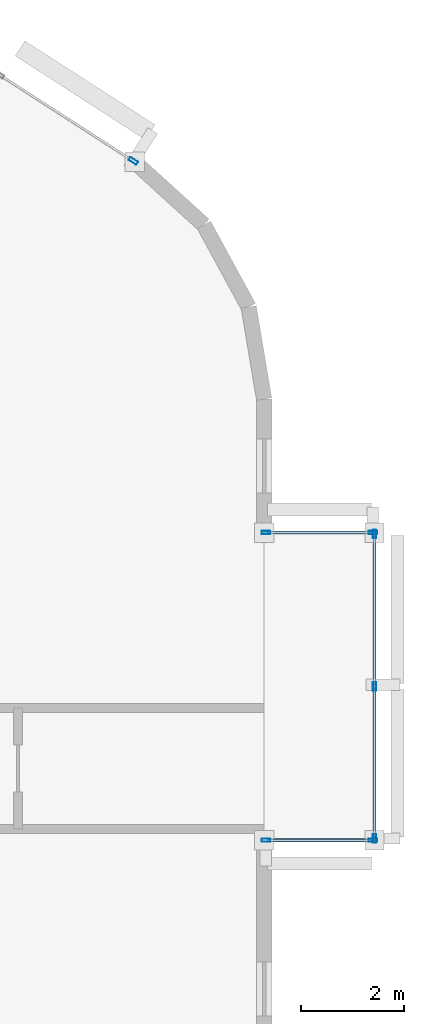
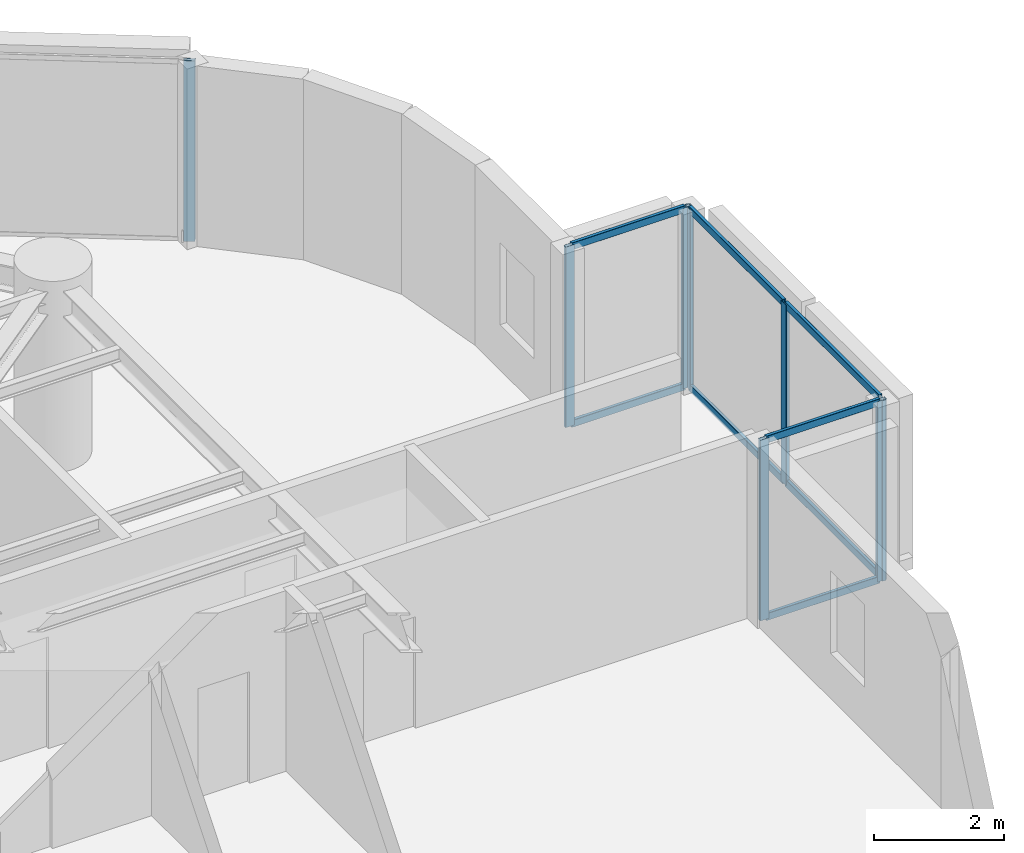
# One storey, part 4 of 13: 16 members, 4 elements without a shape of their own.
"""IFC4 building model written with IfcOpenShell, lengths in metres."""

from ifc_helpers import new_model, si_unit, direction, frame, origin, origin_2d, place, context, subcontext, project, spatial, hollow_rectangle, extrude, material, layer, layer_set, material_profile, profile_set, type_object, element, aggregate, save


model = new_model("IFC4")

# Units and contexts
model_context = context("Model", 3, precision=1e-05, world=origin(), true_north=direction((0.0, 1.0)))
body_context = subcontext(model_context, "Body", "Model", "MODEL_VIEW")
ifc_project = project(units=[si_unit("LENGTHUNIT", "METRE"), si_unit("AREAUNIT", "SQUARE_METRE"), si_unit("VOLUMEUNIT", "CUBIC_METRE"), si_unit("PLANEANGLEUNIT", "RADIAN"), si_unit("MASSUNIT", "GRAM", prefix="KILO")], contexts=[model_context])

# Site, building, storey
site_placement = place(None, origin())
site = spatial("IfcSite", under=ifc_project, at=site_placement, CompositionType="ELEMENT")
building_placement = place(site_placement, origin())
building = spatial("IfcBuilding", under=site, at=building_placement, Name="An Khanh Terracotta Commons", CompositionType="ELEMENT")
storey_placement = place(building_placement, frame((0.0, 0.0, 183.39990234375)))
storey = spatial("IfcBuildingStorey", under=building, at=storey_placement, Name="L48", CompositionType="ELEMENT", Elevation=183.39990234375)

# Curtain wall, members
ifc_material = material(Name="Anodised Aluminium 6063-T6", Category="aluminium")
ifc_layer_1 = layer(ifc_material, 0.239990234375, Name="Anodised Aluminium 6063-T6")
ifc_layer_set_1 = layer_set([ifc_layer_1], Name="Anodised Aluminium 6063-T6")
curtain_wall_type_1 = type_object("IfcCurtainWallType", Name="CW-SYS-04", PredefinedType="USERDEFINED", material=ifc_layer_set_1)
curtain_wall_1_placement = place(storey_placement, origin())
curtain_wall_1 = element("IfcCurtainWall", 1, at=curtain_wall_1_placement, inside=storey, type_object=curtain_wall_type_1, Name="L48 CW-04 Unitised Curtain Wall CW-L48-EBOX-1", ObjectType="UNITISED CURTAIN WALL", PredefinedType="USERDEFINED")
ifc_material_profile_1 = material_profile(ifc_material, hollow_rectangle(XDim=0.06494140625, YDim=0.1650390625, WallThickness=0.00390625, InnerFilletRadius=0.00390625, OuterFilletRadius=0.008056640625, at=origin_2d()), Name="RHS165x65x4")
ifc_profile_set_1 = profile_set([ifc_material_profile_1], Name="Anodised Aluminium 6063-T6")
member_type_1 = type_object("IfcMemberType", Name="CWM-RHS165x65x4", PredefinedType="MULLION", material=ifc_profile_set_1)
member_1_placement = place(storey_placement, frame((65.14990234375, 22.632568359375, 0.0), z_axis=(0.0, 0.0, 1.0), x_axis=(-1.0, 0.0, 0.0)))
member_1 = element("IfcMember", 2, at=member_1_placement, type_object=member_type_1, Name="CW-04 mullion 1", PredefinedType="MULLION", context=body_context, shape_type="SweptSolid", body=[
    extrude(hollow_rectangle(XDim=0.06494140625, YDim=0.1650390625, WallThickness=0.00390625, InnerFilletRadius=0.00390625, OuterFilletRadius=0.008056640625, at=origin_2d()), origin(), (0.0, 0.0, 1.0), 3.400146484375),
])
member_2_placement = place(storey_placement, frame((65.14990234375, 25.60009765625, 0.0), z_axis=(0.0, 0.0, 1.0), x_axis=(-1.0, 0.0, 0.0)))
member_2 = element("IfcMember", 3, at=member_2_placement, type_object=member_type_1, Name="CW-04 mullion 2", PredefinedType="MULLION", context=body_context, shape_type="SweptSolid", body=[
    extrude(hollow_rectangle(XDim=0.06494140625, YDim=0.1650390625, WallThickness=0.00390625, InnerFilletRadius=0.00390625, OuterFilletRadius=0.008056640625, at=origin_2d()), origin(), (0.0, 0.0, 1.0), 3.400146484375),
])
member_3_placement = place(storey_placement, frame((65.14990234375, 28.5673828125, 0.0), z_axis=(0.0, 0.0, 1.0), x_axis=(-1.0, 0.0, 0.0)))
member_3 = element("IfcMember", 4, at=member_3_placement, type_object=member_type_1, Name="CW-04 mullion 3", PredefinedType="MULLION", context=body_context, shape_type="SweptSolid", body=[
    extrude(hollow_rectangle(XDim=0.06494140625, YDim=0.1650390625, WallThickness=0.00390625, InnerFilletRadius=0.00390625, OuterFilletRadius=0.008056640625, at=origin_2d()), origin(), (0.0, 0.0, 1.0), 3.400146484375),
])

curtain_wall_2_placement = place(storey_placement, origin())
curtain_wall_2 = element("IfcCurtainWall", 5, at=curtain_wall_2_placement, inside=storey, type_object=curtain_wall_type_1, Name="L48 CW-04 Unitised Curtain Wall CW-L48-EBOX-2", ObjectType="UNITISED CURTAIN WALL", PredefinedType="USERDEFINED")
member_4_placement = place(storey_placement, frame((63.032470703125, 22.60009765625, 0.0), z_axis=(0.0, 0.0, 1.0), x_axis=(0.0, 1.0, 0.0)))
member_4 = element("IfcMember", 6, at=member_4_placement, type_object=member_type_1, Name="CW-04 mullion 1", PredefinedType="MULLION", context=body_context, shape_type="SweptSolid", body=[
    extrude(hollow_rectangle(XDim=0.06494140625, YDim=0.1650390625, WallThickness=0.00390625, InnerFilletRadius=0.00390625, OuterFilletRadius=0.008056640625, at=origin_2d()), origin(), (0.0, 0.0, 1.0), 3.400146484375),
])
member_5_placement = place(storey_placement, frame((65.117431640625, 22.60009765625, 0.0), z_axis=(0.0, 0.0, 1.0), x_axis=(0.0, 1.0, 0.0)))
member_5 = element("IfcMember", 7, at=member_5_placement, type_object=member_type_1, Name="CW-04 mullion 2", PredefinedType="MULLION", context=body_context, shape_type="SweptSolid", body=[
    extrude(hollow_rectangle(XDim=0.06494140625, YDim=0.1650390625, WallThickness=0.00390625, InnerFilletRadius=0.00390625, OuterFilletRadius=0.008056640625, at=origin_2d()), origin(), (0.0, 0.0, 1.0), 3.400146484375),
])

curtain_wall_3_placement = place(storey_placement, origin())
curtain_wall_3 = element("IfcCurtainWall", 8, at=curtain_wall_3_placement, inside=storey, type_object=curtain_wall_type_1, Name="L48 CW-04 Unitised Curtain Wall CW-L48-EBOX-3", ObjectType="UNITISED CURTAIN WALL", PredefinedType="USERDEFINED")
member_6_placement = place(storey_placement, frame((65.117431640625, 28.60009765625, 0.0), z_axis=(0.0, 0.0, 1.0), x_axis=(0.0, -1.0, 0.0)))
member_6 = element("IfcMember", 9, at=member_6_placement, type_object=member_type_1, Name="CW-04 mullion 1", PredefinedType="MULLION", context=body_context, shape_type="SweptSolid", body=[
    extrude(hollow_rectangle(XDim=0.06494140625, YDim=0.1650390625, WallThickness=0.00390625, InnerFilletRadius=0.00390625, OuterFilletRadius=0.008056640625, at=origin_2d()), origin(), (0.0, 0.0, 1.0), 3.400146484375),
])
member_7_placement = place(storey_placement, frame((63.032470703125, 28.60009765625, 0.0), z_axis=(0.0, 0.0, 1.0), x_axis=(0.0, -1.0, 0.0)))
member_7 = element("IfcMember", 10, at=member_7_placement, type_object=member_type_1, Name="CW-04 mullion 2", PredefinedType="MULLION", context=body_context, shape_type="SweptSolid", body=[
    extrude(hollow_rectangle(XDim=0.06494140625, YDim=0.1650390625, WallThickness=0.00390625, InnerFilletRadius=0.00390625, OuterFilletRadius=0.008056640625, at=origin_2d()), origin(), (0.0, 0.0, 1.0), 3.400146484375),
])

# Curtain wall, member
ifc_layer_2 = layer(ifc_material, 0.2099609375, Name="Anodised Aluminium 6063-T6")
ifc_layer_set_2 = layer_set([ifc_layer_2], Name="Anodised Aluminium 6063-T6")
curtain_wall_type_2 = type_object("IfcCurtainWallType", Name="CW-SYS-03", PredefinedType="USERDEFINED", material=ifc_layer_set_2)
curtain_wall_4_placement = place(storey_placement, origin())
curtain_wall_4 = element("IfcCurtainWall", 11, at=curtain_wall_4_placement, inside=storey, type_object=curtain_wall_type_2, Name="L48 CW-03 Unitised Curtain Wall CW-L48-16", ObjectType="UNITISED CURTAIN WALL", PredefinedType="USERDEFINED")
ifc_material_profile_2 = material_profile(ifc_material, hollow_rectangle(XDim=0.070068359375, YDim=0.179931640625, WallThickness=0.00390625, InnerFilletRadius=0.00390625, OuterFilletRadius=0.008056640625, at=origin_2d()), Name="RHS180x70x4")
ifc_profile_set_2 = profile_set([ifc_material_profile_2], Name="Anodised Aluminium 6063-T6")
member_type_2 = type_object("IfcMemberType", Name="CWM-RHS180x70x4", PredefinedType="MULLION", material=ifc_profile_set_2)
member_8_placement = place(storey_placement, frame((60.448486328125, 35.843017578125, 0.0), z_axis=(0.0, 0.0, 1.0), x_axis=(-0.541497931062, -0.840702081986, 0.0)))
member_8 = element("IfcMember", 12, at=member_8_placement, type_object=member_type_2, Name="CW-03 mullion 1", PredefinedType="MULLION", context=body_context, shape_type="SweptSolid", body=[
    extrude(hollow_rectangle(XDim=0.070068359375, YDim=0.179931640625, WallThickness=0.00390625, InnerFilletRadius=0.00390625, OuterFilletRadius=0.008056640625, at=origin_2d()), origin(), (0.0, 0.0, 1.0), 3.400146484375),
])
aggregate(curtain_wall_4, [member_8])

# Member
ifc_material_profile_3 = material_profile(ifc_material, hollow_rectangle(XDim=0.06005859375, YDim=0.135009765625, WallThickness=0.003662109375, InnerFilletRadius=0.003662109375, OuterFilletRadius=0.007080078125, at=origin_2d()), Name="RHS135x60x3.6")
ifc_profile_set_3 = profile_set([ifc_material_profile_3], Name="Anodised Aluminium 6063-T6")
member_type_3 = type_object("IfcMemberType", Name="CWT-RHS135x60x3.6", PredefinedType="USERDEFINED", material=ifc_profile_set_3)
member_9_placement = place(storey_placement, frame((65.14990234375, 22.6650390625, 0.030029296875), z_axis=(0.0, 1.0, 0.0), x_axis=(-1.0, 0.0, 0.0)))
member_9 = element("IfcMember", 13, at=member_9_placement, type_object=member_type_3, Name="CW-04 transom 1.1", ObjectType="TRANSOM", PredefinedType="USERDEFINED", context=body_context, shape_type="SweptSolid", body=[
    extrude(hollow_rectangle(XDim=0.06005859375, YDim=0.135009765625, WallThickness=0.003662109375, InnerFilletRadius=0.003662109375, OuterFilletRadius=0.007080078125, at=origin_2d()), origin(), (0.0, 0.0, 1.0), 2.90234375),
])

member_10_placement = place(storey_placement, frame((65.14990234375, 22.6650390625, 3.3701171875), z_axis=(0.0, 1.0, 0.0), x_axis=(-1.0, 0.0, 0.0)))
member_10 = element("IfcMember", 14, at=member_10_placement, type_object=member_type_3, Name="CW-04 transom 1.2", ObjectType="TRANSOM", PredefinedType="USERDEFINED", context=body_context, shape_type="SweptSolid", body=[
    extrude(hollow_rectangle(XDim=0.06005859375, YDim=0.135009765625, WallThickness=0.003662109375, InnerFilletRadius=0.003662109375, OuterFilletRadius=0.007080078125, at=origin_2d()), origin(), (0.0, 0.0, 1.0), 2.90234375),
])

member_11_placement = place(storey_placement, frame((65.14990234375, 25.632568359375, 0.030029296875), z_axis=(0.0, 1.0, 0.0), x_axis=(-1.0, 0.0, 0.0)))
member_11 = element("IfcMember", 15, at=member_11_placement, type_object=member_type_3, Name="CW-04 transom 2.1", ObjectType="TRANSOM", PredefinedType="USERDEFINED", context=body_context, shape_type="SweptSolid", body=[
    extrude(hollow_rectangle(XDim=0.06005859375, YDim=0.135009765625, WallThickness=0.003662109375, InnerFilletRadius=0.003662109375, OuterFilletRadius=0.007080078125, at=origin_2d()), origin(), (0.0, 0.0, 1.0), 2.90234375),
])

member_12_placement = place(storey_placement, frame((65.14990234375, 25.632568359375, 3.3701171875), z_axis=(0.0, 1.0, 0.0), x_axis=(-1.0, 0.0, 0.0)))
member_12 = element("IfcMember", 16, at=member_12_placement, type_object=member_type_3, Name="CW-04 transom 2.2", ObjectType="TRANSOM", PredefinedType="USERDEFINED", context=body_context, shape_type="SweptSolid", body=[
    extrude(hollow_rectangle(XDim=0.06005859375, YDim=0.135009765625, WallThickness=0.003662109375, InnerFilletRadius=0.003662109375, OuterFilletRadius=0.007080078125, at=origin_2d()), origin(), (0.0, 0.0, 1.0), 2.90234375),
])

aggregate(curtain_wall_1, [member_1, member_2, member_3, member_9, member_10, member_11, member_12])

member_13_placement = place(storey_placement, frame((63.06494140625, 22.60009765625, 0.030029296875), z_axis=(1.0, 0.0, 0.0), x_axis=(0.0, 1.0, 0.0)))
member_13 = element("IfcMember", 17, at=member_13_placement, type_object=member_type_3, Name="CW-04 transom 1.1", ObjectType="TRANSOM", PredefinedType="USERDEFINED", context=body_context, shape_type="SweptSolid", body=[
    extrude(hollow_rectangle(XDim=0.06005859375, YDim=0.135009765625, WallThickness=0.003662109375, InnerFilletRadius=0.003662109375, OuterFilletRadius=0.007080078125, at=origin_2d()), origin(), (0.0, 0.0, 1.0), 2.02001953125),
])

member_14_placement = place(storey_placement, frame((63.06494140625, 22.60009765625, 3.3701171875), z_axis=(1.0, 0.0, 0.0), x_axis=(0.0, 1.0, 0.0)))
member_14 = element("IfcMember", 18, at=member_14_placement, type_object=member_type_3, Name="CW-04 transom 1.2", ObjectType="TRANSOM", PredefinedType="USERDEFINED", context=body_context, shape_type="SweptSolid", body=[
    extrude(hollow_rectangle(XDim=0.06005859375, YDim=0.135009765625, WallThickness=0.003662109375, InnerFilletRadius=0.003662109375, OuterFilletRadius=0.007080078125, at=origin_2d()), origin(), (0.0, 0.0, 1.0), 2.02001953125),
])

aggregate(curtain_wall_2, [member_4, member_5, member_13, member_14])

member_15_placement = place(storey_placement, frame((65.0849609375, 28.60009765625, 0.030029296875), z_axis=(-1.0, 0.0, 0.0), x_axis=(0.0, -1.0, 0.0)))
member_15 = element("IfcMember", 19, at=member_15_placement, type_object=member_type_3, Name="CW-04 transom 1.1", ObjectType="TRANSOM", PredefinedType="USERDEFINED", context=body_context, shape_type="SweptSolid", body=[
    extrude(hollow_rectangle(XDim=0.06005859375, YDim=0.135009765625, WallThickness=0.003662109375, InnerFilletRadius=0.003662109375, OuterFilletRadius=0.007080078125, at=origin_2d()), origin(), (0.0, 0.0, 1.0), 2.02001953125),
])

member_16_placement = place(storey_placement, frame((65.0849609375, 28.60009765625, 3.3701171875), z_axis=(-1.0, 0.0, 0.0), x_axis=(0.0, -1.0, 0.0)))
member_16 = element("IfcMember", 20, at=member_16_placement, type_object=member_type_3, Name="CW-04 transom 1.2", ObjectType="TRANSOM", PredefinedType="USERDEFINED", context=body_context, shape_type="SweptSolid", body=[
    extrude(hollow_rectangle(XDim=0.06005859375, YDim=0.135009765625, WallThickness=0.003662109375, InnerFilletRadius=0.003662109375, OuterFilletRadius=0.007080078125, at=origin_2d()), origin(), (0.0, 0.0, 1.0), 2.02001953125),
])

aggregate(curtain_wall_3, [member_6, member_7, member_15, member_16])

save(model, "model.ifc")
